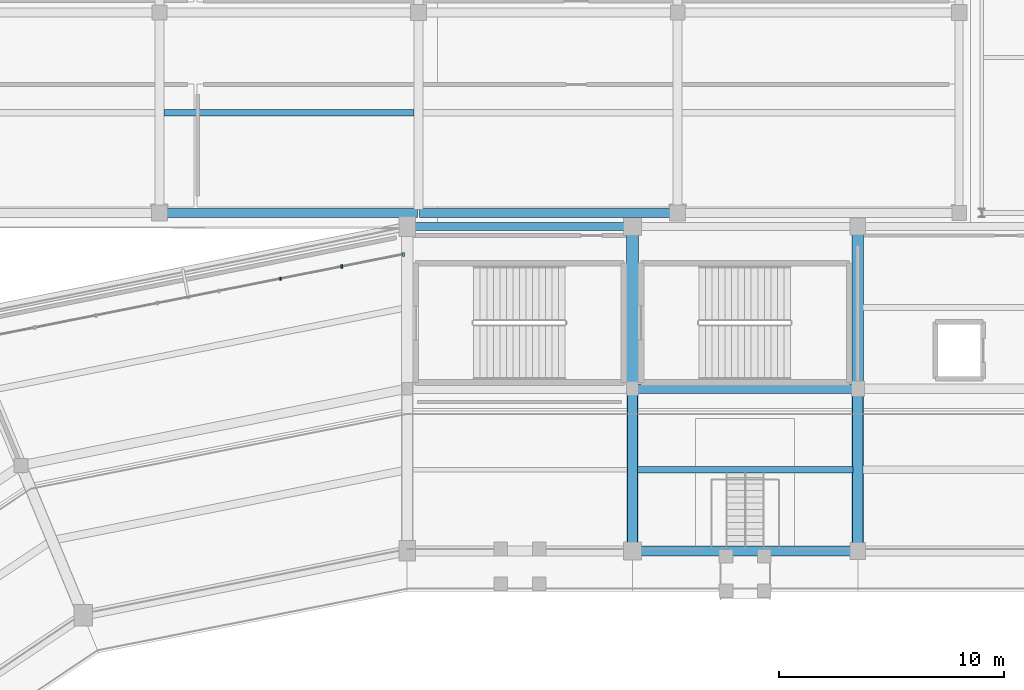
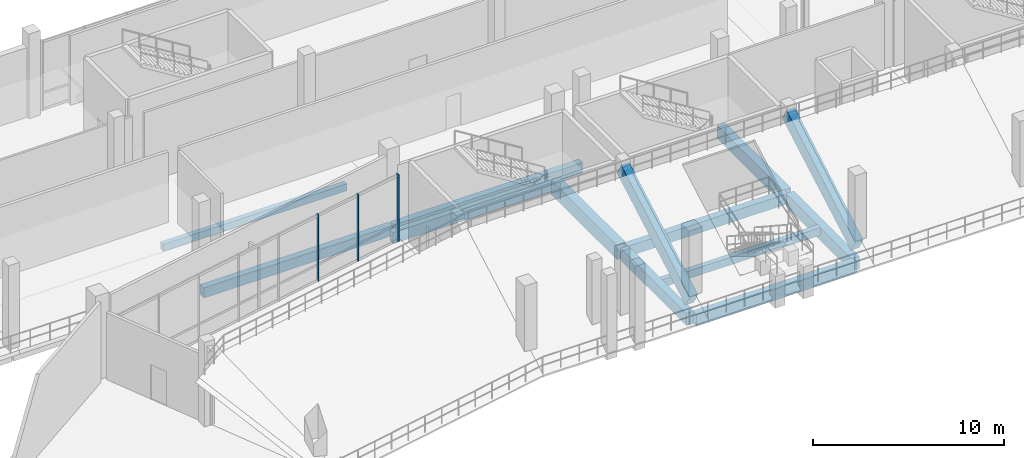
# One storey, part 51 of 127: 13 beams, 3 members, 1 element without a shape of its own.
"""IFC4 building model written with IfcOpenShell, lengths in metres."""

from ifc_helpers import new_model, si_unit, direction, frame, origin, origin_2d, place, context, subcontext, project, spatial, rectangle, extrude, material, material_profile, profile_set, type_object, element, aggregate, save


model = new_model("IFC4")

# Units and contexts
model_context = context("Model", 3, precision=1e-05, world=origin(), true_north=direction((0.0, 1.0)))
body_context = subcontext(model_context, "Body", "Model", "MODEL_VIEW")
ifc_project = project(units=[si_unit("LENGTHUNIT", "METRE"), si_unit("AREAUNIT", "SQUARE_METRE"), si_unit("VOLUMEUNIT", "CUBIC_METRE"), si_unit("PLANEANGLEUNIT", "RADIAN"), si_unit("MASSUNIT", "GRAM", prefix="KILO")], contexts=[model_context])

# Site, building, storey
site_placement = place(None, origin())
site = spatial("IfcSite", under=ifc_project, at=site_placement, CompositionType="ELEMENT")
building_placement = place(site_placement, origin())
building = spatial("IfcBuilding", under=site, at=building_placement, Name="Candeia Ridge Stadium", CompositionType="ELEMENT")
storey_placement = place(building_placement, frame((0.0, 0.0, 10.800048828125)))
storey = spatial("IfcBuildingStorey", under=building, at=storey_placement, Name="L02", CompositionType="ELEMENT", Elevation=10.800048828125)

# Beams
ifc_material_1 = material(Name="Concrete C45/55", Category="concrete")
ifc_material_profile_1 = material_profile(ifc_material_1, rectangle(XDim=0.5, YDim=0.89990234375, at=origin_2d()), Name="RC500x900", Category="concrete")
ifc_profile_set_1 = profile_set([ifc_material_profile_1], Name="Concrete C45/55")
beam_type_1 = type_object("IfcBeamType", Name="Club Stand Raker Beam RC500x900", PredefinedType="USERDEFINED", material=ifc_profile_set_1)
for number, where, z_axis, x_axis, name in (
    (1, (91.0, 132.60009765625, 0.624267578125), (0.0, 0.869244421404, 0.494382580455), (-1.0, 0.0, 0.0), "Stand T2 inclined concrete raker beam 06"),
    (2, (81.0, 132.60009765625, 0.624267578125), (0.0, 0.869244421404, 0.494382580455), (-1.0, 0.0, 0.0), "Stand T2 inclined concrete raker beam 07"),
):
    element("IfcBeam", number, at=place(storey_placement, frame(where, z_axis=z_axis, x_axis=x_axis)), inside=storey, type_object=beam_type_1, Name=name, ObjectType="RAKER", PredefinedType="USERDEFINED", context=body_context, shape_type="SweptSolid", body=[
        extrude(rectangle(XDim=0.5, YDim=0.89990234375, at=origin_2d()), origin(), (0.0, 0.0, 1.0), 8.282958984375),
    ])

# Curtain wall, members
ifc_material_2 = material(Name="Aluminium Anodized Warm Bronze", Category="aluminium")
curtain_wall_type = type_object("IfcCurtainWallType", Name="Concourse Recessed Unitised Curtain Wall", PredefinedType="NOTDEFINED", material=ifc_material_2)
curtain_wall_placement = place(storey_placement, origin())
curtain_wall = element("IfcCurtainWall", 3, at=curtain_wall_placement, inside=storey, type_object=curtain_wall_type, Name="Unitised curtain wall CW-BWL-L02-07", PredefinedType="NOTDEFINED")
ifc_material_profile_2 = material_profile(ifc_material_2, rectangle(XDim=0.090087890625, YDim=0.179931640625, at=origin_2d()), Name="CWM-90x180", Category="aluminium")
ifc_profile_set_2 = profile_set([ifc_material_profile_2], Name="Aluminium Anodized Warm Bronze")
member_type_1 = type_object("IfcMemberType", Name="Curtain Wall Primary Mullion 90x180", PredefinedType="MULLION", material=ifc_profile_set_2)
member_1_placement = place(storey_placement, frame((70.823486328125, 145.764892578125, 0.0), z_axis=(0.0, 0.0, 1.0), x_axis=(1.0, 0.0, 0.0)))
member_1 = element("IfcMember", 4, at=member_1_placement, type_object=member_type_1, Name="Curtain wall mullion CW-BWL-L02-07-M0", PredefinedType="MULLION", context=body_context, shape_type="SweptSolid", body=[
    extrude(rectangle(XDim=0.090087890625, YDim=0.179931640625, at=origin_2d()), origin(), (0.0, 0.0, 1.0), 4.2548828125),
])
ifc_material_profile_3 = material_profile(ifc_material_2, rectangle(XDim=0.074951171875, YDim=0.14990234375, at=origin_2d()), Name="CWM-75x150", Category="aluminium")
ifc_profile_set_3 = profile_set([ifc_material_profile_3], Name="Aluminium Anodized Warm Bronze")
member_type_2 = type_object("IfcMemberType", Name="Curtain Wall Secondary Mullion 75x150", PredefinedType="MULLION", material=ifc_profile_set_3)
member_2_placement = place(storey_placement, frame((68.0966796875, 145.222412109375, 0.0), z_axis=(0.0, 0.0, 1.0), x_axis=(1.0, 0.0, 0.0)))
member_2 = element("IfcMember", 5, at=member_2_placement, type_object=member_type_2, Name="Curtain wall mullion CW-BWL-L02-07-M1", PredefinedType="MULLION", context=body_context, shape_type="SweptSolid", body=[
    extrude(rectangle(XDim=0.074951171875, YDim=0.14990234375, at=origin_2d()), origin(), (0.0, 0.0, 1.0), 4.2548828125),
])
member_3_placement = place(storey_placement, frame((65.3701171875, 144.68017578125, 0.0), z_axis=(0.0, 0.0, 1.0), x_axis=(1.0, 0.0, 0.0)))
member_3 = element("IfcMember", 6, at=member_3_placement, type_object=member_type_2, Name="Curtain wall mullion CW-BWL-L02-07-M2", PredefinedType="MULLION", context=body_context, shape_type="SweptSolid", body=[
    extrude(rectangle(XDim=0.074951171875, YDim=0.14990234375, at=origin_2d()), origin(), (0.0, 0.0, 1.0), 4.2548828125),
])
aggregate(curtain_wall, [member_1, member_2, member_3])

# Beams
ifc_material_3 = material(Name="Concrete C40/50", Category="concrete")
ifc_material_profile_4 = material_profile(ifc_material_3, rectangle(XDim=0.300048828125, YDim=0.449951171875, at=origin_2d()), Name="RC300x450", Category="concrete")
ifc_profile_set_4 = profile_set([ifc_material_profile_4], Name="Concrete C40/50")
beam_type_2 = type_object("IfcBeamType", Name="Floor Joist RC300x450", PredefinedType="JOIST", material=ifc_profile_set_4)
beam_1_placement = place(storey_placement, frame((60.199462890625, 152.050048828125, -0.485107421875), z_axis=(1.0, 0.0, 0.0), x_axis=(0.0, 1.0, 0.0)))
element("IfcBeam", 7, at=beam_1_placement, inside=storey, type_object=beam_type_2, Name="Wing secondary joist BM-L02-1719", PredefinedType="JOIST", context=body_context, shape_type="SweptSolid", body=[
    extrude(rectangle(XDim=0.300048828125, YDim=0.449951171875, at=origin_2d()), origin(), (0.0, 0.0, 1.0), 11.10107421875),
])
ifc_material_profile_5 = material_profile(ifc_material_3, rectangle(XDim=0.31005859375, YDim=0.489990234375, at=origin_2d()), Name="RC310x490", Category="concrete")
ifc_profile_set_5 = profile_set([ifc_material_profile_5], Name="Concrete C40/50")
beam_type_3 = type_object("IfcBeamType", Name="Floor Joist RC310x490", PredefinedType="JOIST", material=ifc_profile_set_5)
beam_2_placement = place(storey_placement, frame((90.778076171875, 136.199951171875, -0.505126953125), z_axis=(-1.0, 0.0, 0.0), x_axis=(0.0, -1.0, 0.0)))
element("IfcBeam", 8, at=beam_2_placement, inside=storey, type_object=beam_type_3, Name="Concourse secondary joist BM-L02-0338", PredefinedType="JOIST", context=body_context, shape_type="SweptSolid", body=[
    extrude(rectangle(XDim=0.31005859375, YDim=0.489990234375, at=origin_2d()), origin(), (0.0, 0.0, 1.0), 9.55615234375),
])
ifc_material_profile_6 = material_profile(ifc_material_3, rectangle(XDim=0.409912109375, YDim=0.659912109375, at=origin_2d()), Name="RC410x660", Category="concrete")
ifc_profile_set_6 = profile_set([ifc_material_profile_6], Name="Concrete C40/50")
beam_type_4 = type_object("IfcBeamType", Name="Frame Girder RC410x660", PredefinedType="BEAM", material=ifc_profile_set_6)
beam_3_placement = place(storey_placement, frame((90.840087890625, 139.800048828125, -0.590087890625), z_axis=(-1.0, 0.0, 0.0), x_axis=(0.0, -1.0, 0.0)))
element("IfcBeam", 9, at=beam_3_placement, inside=storey, type_object=beam_type_4, Name="Concourse spine girder BM-L02-0336", PredefinedType="BEAM", context=body_context, shape_type="SweptSolid", body=[
    extrude(rectangle(XDim=0.409912109375, YDim=0.659912109375, at=origin_2d()), origin(), (0.0, 0.0, 1.0), 9.68017578125),
])
ifc_material_profile_7 = material_profile(ifc_material_3, rectangle(XDim=0.43994140625, YDim=0.719970703125, at=origin_2d()), Name="RC440x720", Category="concrete")
ifc_profile_set_7 = profile_set([ifc_material_profile_7], Name="Concrete C40/50")
beam_type_5 = type_object("IfcBeamType", Name="Frame Girder RC440x720", PredefinedType="BEAM", material=ifc_profile_set_7)
beam_4_placement = place(storey_placement, frame((90.840087890625, 132.60009765625, -0.6201171875), z_axis=(-1.0, 0.0, 0.0), x_axis=(0.0, -1.0, 0.0)))
element("IfcBeam", 10, at=beam_4_placement, inside=storey, type_object=beam_type_5, Name="Bowl inner ring girder BM-L02-0335", PredefinedType="BEAM", context=body_context, shape_type="SweptSolid", body=[
    extrude(rectangle(XDim=0.43994140625, YDim=0.719970703125, at=origin_2d()), origin(), (0.0, 0.0, 1.0), 9.68017578125),
])
ifc_material_profile_8 = material_profile(ifc_material_3, rectangle(XDim=0.4599609375, YDim=0.780029296875, at=origin_2d()), Name="RC460x780", Category="concrete")
ifc_profile_set_8 = profile_set([ifc_material_profile_8], Name="Concrete C40/50")
beam_type_6 = type_object("IfcBeamType", Name="Frame Girder RC460x780", PredefinedType="BEAM", material=ifc_profile_set_8)
beam_5_placement = place(storey_placement, frame((81.0, 132.760009765625, -0.650146484375), z_axis=(0.0, 1.0, 0.0), x_axis=(-1.0, 0.0, 0.0)))
element("IfcBeam", 11, at=beam_5_placement, inside=storey, type_object=beam_type_6, Name="Bowl radial girder BM-L02-0253", PredefinedType="BEAM", context=body_context, shape_type="SweptSolid", body=[
    extrude(rectangle(XDim=0.4599609375, YDim=0.780029296875, at=origin_2d()), origin(), (0.0, 0.0, 1.0), 6.8798828125),
])
ifc_material_profile_9 = material_profile(ifc_material_1, rectangle(XDim=0.47998046875, YDim=0.820068359375, at=origin_2d()), Name="RC480x820", Category="concrete")
ifc_profile_set_9 = profile_set([ifc_material_profile_9], Name="Concrete C45/55")
beam_type_7 = type_object("IfcBeamType", Name="Frame Girder RC480x820", PredefinedType="BEAM", material=ifc_profile_set_9)
beam_6_placement = place(storey_placement, frame((91.0, 132.760009765625, -0.670166015625), z_axis=(0.0, 1.0, 0.0), x_axis=(-1.0, 0.0, 0.0)))
element("IfcBeam", 12, at=beam_6_placement, inside=storey, type_object=beam_type_7, Name="Bowl radial girder BM-L02-0251", PredefinedType="BEAM", context=body_context, shape_type="SweptSolid", body=[
    extrude(rectangle(XDim=0.47998046875, YDim=0.820068359375, at=origin_2d()), origin(), (0.0, 0.0, 1.0), 6.8798828125),
])
ifc_material_profile_10 = material_profile(ifc_material_1, rectangle(XDim=0.5, YDim=0.85009765625, at=origin_2d()), Name="RC500x850", Category="concrete")
ifc_profile_set_10 = profile_set([ifc_material_profile_10], Name="Concrete C45/55")
beam_type_8 = type_object("IfcBeamType", Name="Frame Girder RC500x850", PredefinedType="BEAM", material=ifc_profile_set_10)
beam_7_placement = place(storey_placement, frame((91.0, 139.9599609375, -0.68505859375), z_axis=(0.0, 1.0, 0.0), x_axis=(-1.0, 0.0, 0.0)))
element("IfcBeam", 13, at=beam_7_placement, inside=storey, type_object=beam_type_8, Name="Bowl radial girder BM-L02-0252", PredefinedType="BEAM", context=body_context, shape_type="SweptSolid", body=[
    extrude(rectangle(XDim=0.5, YDim=0.85009765625, at=origin_2d()), origin(), (0.0, 0.0, 1.0), 6.880126953125),
])
ifc_material_profile_11 = material_profile(ifc_material_1, rectangle(XDim=0.550048828125, YDim=0.919921875, at=origin_2d()), Name="RC550x920", Category="concrete")
ifc_profile_set_11 = profile_set([ifc_material_profile_11], Name="Concrete C45/55")
beam_type_9 = type_object("IfcBeamType", Name="Frame Girder RC550x920", PredefinedType="BEAM", material=ifc_profile_set_11)
beam_8_placement = place(storey_placement, frame((81.0, 139.9599609375, -0.719970703125), z_axis=(0.0, 1.0, 0.0), x_axis=(-1.0, 0.0, 0.0)))
element("IfcBeam", 14, at=beam_8_placement, inside=storey, type_object=beam_type_9, Name="Bowl radial girder BM-L02-0254", PredefinedType="BEAM", context=body_context, shape_type="SweptSolid", body=[
    extrude(rectangle(XDim=0.550048828125, YDim=0.919921875, at=origin_2d()), origin(), (0.0, 0.0, 1.0), 6.880126953125),
])
ifc_material_profile_12 = material_profile(ifc_material_1, rectangle(XDim=0.360107421875, YDim=0.719970703125, at=origin_2d()), Name="RC360x720", Category="concrete")
ifc_profile_set_12 = profile_set([ifc_material_profile_12], Name="Concrete C45/55")
beam_type_10 = type_object("IfcBeamType", Name="Spandrel Beam RC360x720", PredefinedType="SPANDREL", material=ifc_profile_set_12)
beam_9_placement = place(storey_placement, frame((80.840087890625, 147.0, -0.6201171875), z_axis=(-1.0, 0.0, 0.0), x_axis=(0.0, -1.0, 0.0)))
element("IfcBeam", 15, at=beam_9_placement, inside=storey, type_object=beam_type_10, Name="Bowl perimeter spandrel BM-L02-0341", PredefinedType="SPANDREL", context=body_context, shape_type="SweptSolid", body=[
    extrude(rectangle(XDim=0.360107421875, YDim=0.719970703125, at=origin_2d()), origin(), (0.0, 0.0, 1.0), 9.68017578125),
])
ifc_material_profile_13 = material_profile(ifc_material_3, rectangle(XDim=0.39990234375, YDim=0.64990234375, at=origin_2d()), Name="RC400x650", Category="concrete")
ifc_profile_set_13 = profile_set([ifc_material_profile_13], Name="Concrete C40/50")
beam_type_11 = type_object("IfcBeamType", Name="Wing Primary Girder RC400x650", PredefinedType="BEAM", material=ifc_profile_set_13)
for number, where, z_axis, x_axis, name in (
    (16, (60.050048828125, 147.60009765625, -0.5849609375), (1.0, 0.0, 0.0), (0.0, 1.0, 0.0), "Structural girder BM-L02-1718"),
    (17, (71.550048828125, 147.60009765625, -0.5849609375), (1.0, 0.0, 0.0), (0.0, 1.0, 0.0), "Structural girder BM-L02-1722"),
):
    element("IfcBeam", number, at=place(storey_placement, frame(where, z_axis=z_axis, x_axis=x_axis)), inside=storey, type_object=beam_type_11, Name=name, PredefinedType="BEAM", context=body_context, shape_type="SweptSolid", body=[
        extrude(rectangle(XDim=0.39990234375, YDim=0.64990234375, at=origin_2d()), origin(), (0.0, 0.0, 1.0), 11.39990234375),
    ])

save(model, "model.ifc")
